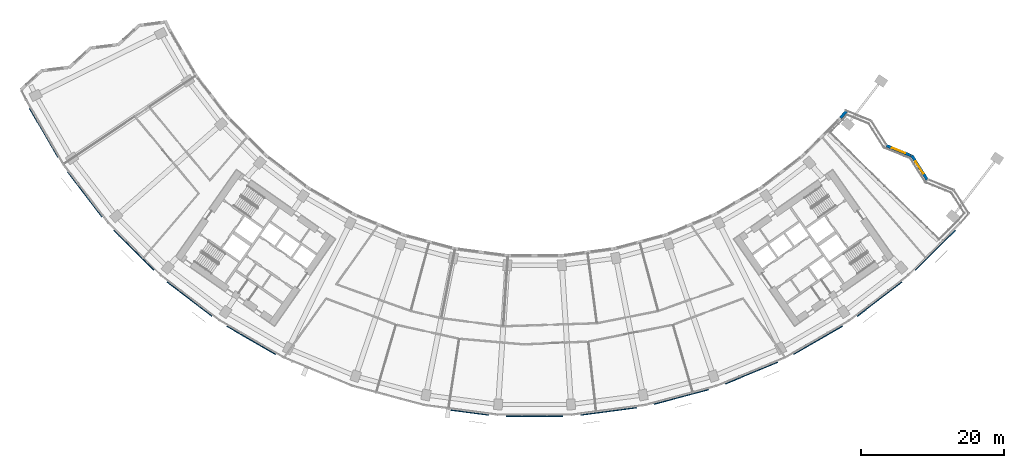
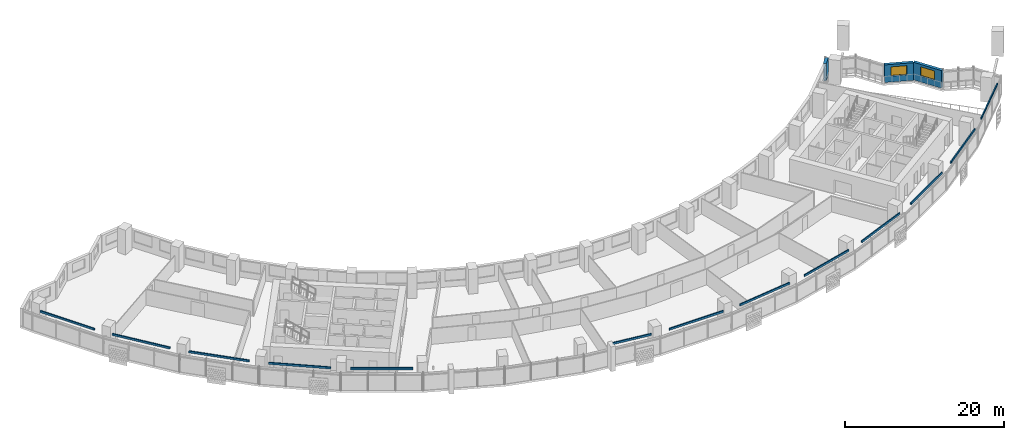
# One storey, part 8 of 30: 13 discrete accessories, 3 walls, 2 windows, 2 openings.
"""IFC4 building model written with IfcOpenShell, lengths in metres."""

from ifc_helpers import new_model, si_unit, direction, frame, frame_2d, origin, origin_2d, place, context, subcontext, project, spatial, rectangle, extrude, material, layer, layer_set, type_object, element, fill, save


model = new_model("IFC4")

# Units and contexts
model_context = context("Model", 3, precision=1e-05, world=origin(), true_north=direction((0.0, 1.0)))
body_context = subcontext(model_context, "Body", "Model", "MODEL_VIEW")
ifc_project = project(units=[si_unit("LENGTHUNIT", "METRE"), si_unit("AREAUNIT", "SQUARE_METRE"), si_unit("VOLUMEUNIT", "CUBIC_METRE"), si_unit("PLANEANGLEUNIT", "RADIAN"), si_unit("MASSUNIT", "GRAM", prefix="KILO")], contexts=[model_context])

# Site, building, storey
site_placement = place(None, origin())
site = spatial("IfcSite", under=ifc_project, at=site_placement, CompositionType="ELEMENT")
building_placement = place(site_placement, origin())
building = spatial("IfcBuilding", under=site, at=building_placement, Name="Qamariyya Broadcast Tower", CompositionType="ELEMENT")
storey_placement = place(building_placement, frame((0.0, 0.0, 98.699951171875)))
storey = spatial("IfcBuildingStorey", under=building, at=storey_placement, Name="L21", CompositionType="ELEMENT", Elevation=98.699951171875)

# Wall, opening, window
ifc_material_1 = material(Name="Terracotta", Category="masonry")
ifc_layer = layer(ifc_material_1, 0.39990234375)
ifc_layer_set = layer_set([ifc_layer], Name="Terracotta clad wall 400")
wall_type = type_object("IfcWallType", Name="Terracotta clad wall 400", PredefinedType="SOLIDWALL", material=ifc_layer_set)
wall_1_placement = place(storey_placement, frame((54.869140625, -46.164794921875, 0.0), z_axis=(0.0, 0.0, 1.0), x_axis=(-0.536607890993, 0.84383171979, 0.0)))
wall_1 = element("IfcWall", 1, at=wall_1_placement, inside=storey, type_object=wall_type, Name="e-wl-L21-capE2", PredefinedType="SOLIDWALL", context=body_context, shape_type="SweptSolid", body=[
    extrude(rectangle(XDim=4.0146484375, YDim=0.39990234375, at=frame_2d((2.00732421875, 0.0))), origin(), (0.0, 0.0, 1.0), 2.699951171875),
])
opening_1_placement = place(wall_1_placement, frame((1.00732421875, 0.0, 0.89990234375)))
opening_1 = element("IfcOpeningElement", 2, at=opening_1_placement, cuts=wall_1, Name="Opening W4", PredefinedType="OPENING", context=body_context, shape_type="SweptSolid", body=[
    extrude(rectangle(XDim=2.0, YDim=1.425048828125, at=frame_2d((1.0, 0.71240234375))), frame((0.0, 0.2099609375, 0.0), z_axis=(0.0, -1.0, 0.0), x_axis=(1.0, 0.0, 0.0)), (0.0, 0.0, 1.0), 0.419921875),
])
ifc_material_2 = material(Name="Clear low-e double glazed unit in aluminium frame", Category="aluminium")
window_type = type_object("IfcWindowType", Name="Horn bay window 2000 x 1425", PartitioningType="SINGLE_PANEL", PredefinedType="WINDOW", material=ifc_material_2)
window_1_placement = place(opening_1_placement, origin())
window_1 = element("IfcWindow", 3, at=window_1_placement, inside=storey, type_object=window_type, Name="e-w-L21-capE2", OverallHeight=1.425048828125, OverallWidth=2.0, PartitioningType="SINGLE_PANEL", PredefinedType="WINDOW", context=body_context, shape_type="SweptSolid", body=[
    extrude(rectangle(XDim=2.0, YDim=1.425048828125, at=frame_2d((1.0, 0.71240234375))), frame((0.0, 0.030029296875, 0.0), z_axis=(0.0, -1.0, 0.0), x_axis=(1.0, 0.0, 0.0)), (0.0, 0.0, 1.0), 0.06005859375),
])
fill(opening_1, window_1)

wall_2_placement = place(storey_placement, frame((52.5830078125, -42.795166015625, 0.0), z_axis=(0.0, 0.0, 1.0), x_axis=(-0.925820092945, 0.377964489734, 0.0)))
wall_2 = element("IfcWall", 4, at=wall_2_placement, inside=storey, type_object=wall_type, Name="e-wl-L21-capE3", PredefinedType="SOLIDWALL", context=body_context, shape_type="SweptSolid", body=[
    extrude(rectangle(XDim=3.670166015625, YDim=0.39990234375, at=frame_2d((1.8349609375, 0.0))), origin(), (0.0, 0.0, 1.0), 2.699951171875),
])
opening_2_placement = place(wall_2_placement, frame((0.835205078125, 0.0, 0.89990234375)))
opening_2 = element("IfcOpeningElement", 5, at=opening_2_placement, cuts=wall_2, Name="Opening W4", PredefinedType="OPENING", context=body_context, shape_type="SweptSolid", body=[
    extrude(rectangle(XDim=2.0, YDim=1.425048828125, at=frame_2d((1.0, 0.71240234375))), frame((0.0, 0.2099609375, 0.0), z_axis=(0.0, -1.0, 0.0), x_axis=(1.0, 0.0, 0.0)), (0.0, 0.0, 1.0), 0.419921875),
])
window_2_placement = place(opening_2_placement, origin())
window_2 = element("IfcWindow", 6, at=window_2_placement, inside=storey, type_object=window_type, Name="e-w-L21-capE3", OverallHeight=1.425048828125, OverallWidth=2.0, PartitioningType="SINGLE_PANEL", PredefinedType="WINDOW", context=body_context, shape_type="SweptSolid", body=[
    extrude(rectangle(XDim=2.0, YDim=1.425048828125, at=frame_2d((1.0, 0.71240234375))), frame((0.0, 0.030029296875, 0.0), z_axis=(0.0, -1.0, 0.0), x_axis=(1.0, 0.0, 0.0)), (0.0, 0.0, 1.0), 0.06005859375),
])
fill(opening_2, window_2)

# Wall
wall_3_placement = place(storey_placement, frame((43.63525390625, -36.518310546875, 0.0), z_axis=(0.0, 0.0, 1.0), x_axis=(-0.650716084525, -0.759321129259, 0.0)))
element("IfcWall", 7, at=wall_3_placement, inside=storey, type_object=wall_type, Name="e-wl-L21-in160", PredefinedType="SOLIDWALL", context=body_context, shape_type="SweptSolid", body=[
    extrude(rectangle(XDim=1.335205078125, YDim=0.39990234375, at=frame_2d((0.66748046875, 0.0))), origin(), (0.0, 0.0, 1.0), 2.699951171875),
])

# Discrete accessories
ifc_material_3 = material(Name="Stainless steel 316", Category="steel")
discrete_accessory_type = type_object("IfcDiscreteAccessoryType", Name="Slab edge fixing angle, stainless steel", PredefinedType="BRACKET", material=ifc_material_3)
for number, where, z_axis, x_axis, name in (
    (8, (-68.59375, -39.6025390625, 3.2998046875), (0.0, 0.0, 1.0), (0.5, -0.866025403784, 0.0), "e-br-L21-01-0"),
    (9, (-62.837646484375, -48.217041015625, 3.2998046875), (0.0, 0.0, 1.0), (0.608761429009, -0.793353340291, 0.0), "e-br-L21-02-0"),
    (10, (-56.006591796875, -56.006591796875, 3.2998046875), (0.0, 0.0, 1.0), (0.707106781187, -0.707106781187, 0.0), "e-br-L21-03-0"),
    (11, (-48.217041015625, -62.837646484375, 3.2998046875), (0.0, 0.0, 1.0), (0.793353340291, -0.608761429009, 0.0), "e-br-L21-04-0"),
    (12, (-39.6025390625, -68.59375, 3.2998046875), (0.0, 0.0, 1.0), (0.866025403784, -0.5, 0.0), "e-br-L21-05-0"),
):
    element("IfcDiscreteAccessory", number, at=place(storey_placement, frame(where, z_axis=z_axis, x_axis=x_axis)), inside=storey, type_object=discrete_accessory_type, Name=name, PredefinedType="BRACKET", context=body_context, shape_type="SweptSolid", body=[
        extrude(rectangle(XDim=7.879638671875, YDim=0.14990234375, at=origin_2d()), origin(), (0.0, 0.0, 1.0), 0.300048828125),
    ])
discrete_accessory_placement = place(storey_placement, frame((-9.052734375, -78.69677734375, 3.2998046875), z_axis=(0.0, 0.0, 1.0), x_axis=(0.991444861374, -0.13052619222, 0.0)))
element("IfcDiscreteAccessory", 13, at=discrete_accessory_placement, inside=storey, type_object=discrete_accessory_type, Name="e-br-L21-08-0", PredefinedType="BRACKET", context=body_context, shape_type="SweptSolid", body=[
    extrude(rectangle(XDim=5.286376953125, YDim=0.14990234375, at=origin_2d()), origin(), (0.0, 0.0, 1.0), 0.300048828125),
])
for number, where, z_axis, x_axis, name in (
    (14, (0.0, -79.205322265625, 3.2998046875), (0.0, 0.0, 1.0), (1.0, 0.0, 0.0), "e-br-L21-09-0"),
    (15, (10.33837890625, -78.527587890625, 3.2998046875), (0.0, 0.0, 1.0), (0.991444861374, 0.13052619222, 0.0), "e-br-L21-10-0"),
    (16, (20.499755859375, -76.50634765625, 3.2998046875), (0.0, 0.0, 1.0), (0.965925826289, 0.258819045103, 0.0), "e-br-L21-11-0"),
    (17, (30.310546875, -73.176025390625, 3.2998046875), (0.0, 0.0, 1.0), (0.923879532511, 0.382683432365, 0.0), "e-br-L21-12-0"),
    (18, (39.6025390625, -68.59375, 3.2998046875), (0.0, 0.0, 1.0), (0.866025403784, 0.5, 0.0), "e-br-L21-13-0"),
    (19, (48.217041015625, -62.837646484375, 3.2998046875), (0.0, 0.0, 1.0), (0.793353340291, 0.608761429009, 0.0), "e-br-L21-14-0"),
    (20, (56.006591796875, -56.006591796875, 3.2998046875), (0.0, 0.0, 1.0), (0.707106781187, 0.707106781187, 0.0), "e-br-L21-15-0"),
):
    element("IfcDiscreteAccessory", number, at=place(storey_placement, frame(where, z_axis=z_axis, x_axis=x_axis)), inside=storey, type_object=discrete_accessory_type, Name=name, PredefinedType="BRACKET", context=body_context, shape_type="SweptSolid", body=[
        extrude(rectangle(XDim=7.879638671875, YDim=0.14990234375, at=origin_2d()), origin(), (0.0, 0.0, 1.0), 0.300048828125),
    ])

save(model, "model.ifc")
